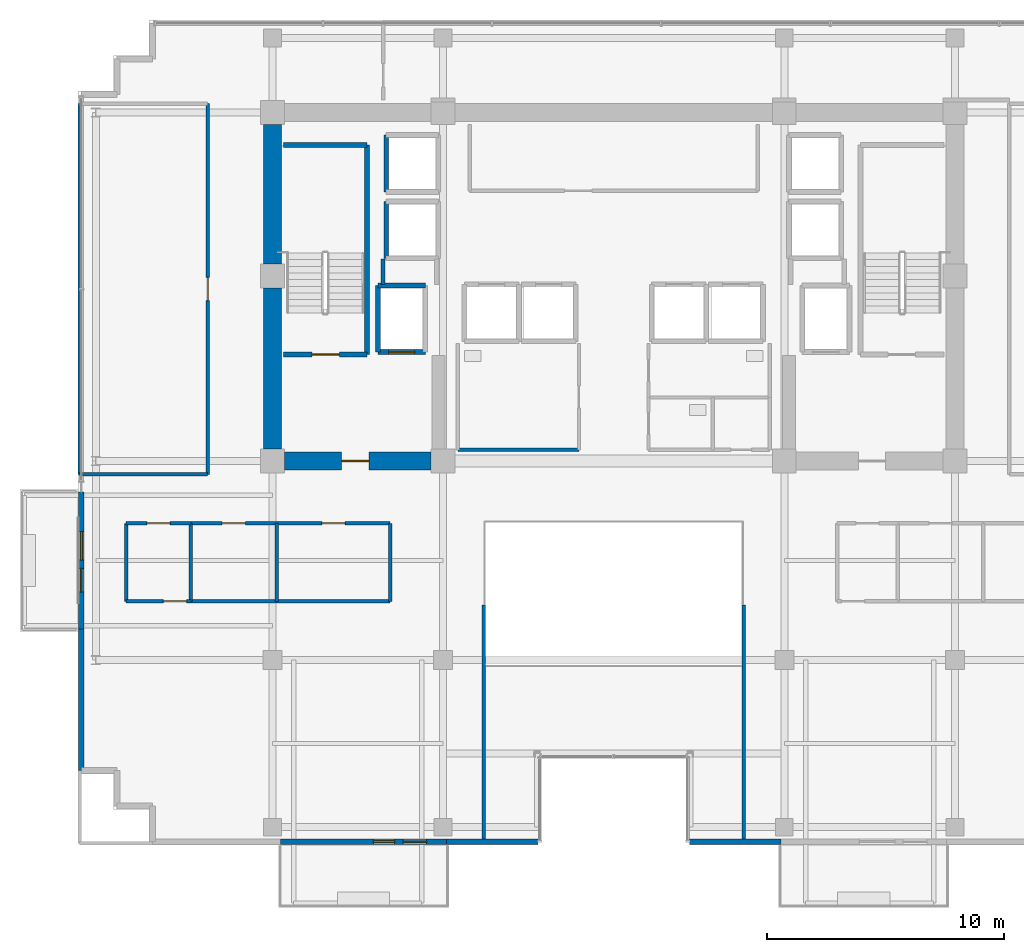
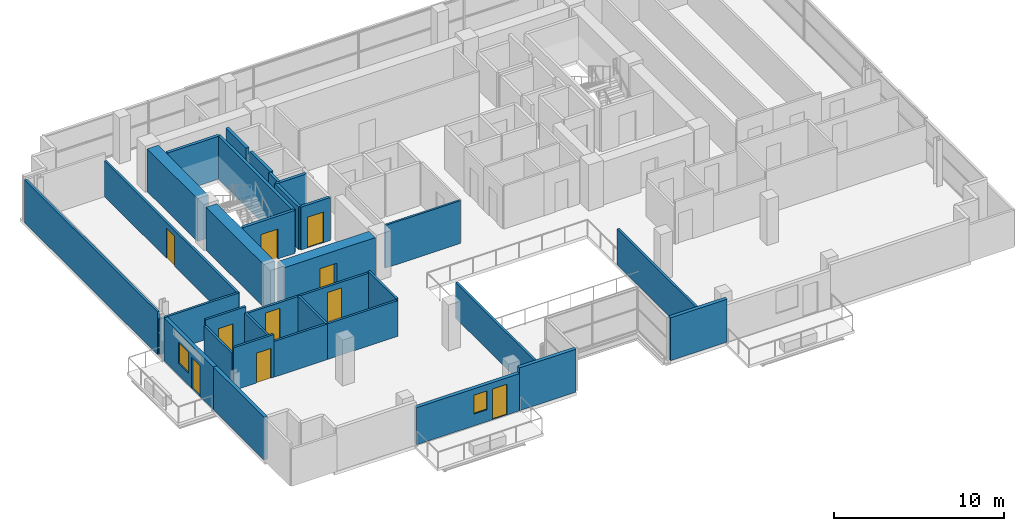
# One storey, part 15 of 21: 33 walls, 10 doors, 2 windows, 12 openings.
"""IFC4 building model written with IfcOpenShell, lengths in metres."""

from ifc_helpers import new_model, si_unit, direction, frame, frame_2d, origin, place, context, subcontext, project, spatial, rectangle, extrude, source, transform, mapped, material, layer, layer_set, type_object, element, fill, save


model = new_model("IFC4")

# Units and contexts
model_context = context("Model", 3, precision=1e-05, world=origin(), true_north=direction((0.0, 1.0)))
body_context = subcontext(model_context, "Body", "Model", "MODEL_VIEW")
ifc_project = project(units=[si_unit("LENGTHUNIT", "METRE"), si_unit("AREAUNIT", "SQUARE_METRE"), si_unit("VOLUMEUNIT", "CUBIC_METRE"), si_unit("PLANEANGLEUNIT", "RADIAN"), si_unit("MASSUNIT", "GRAM", prefix="KILO")], contexts=[model_context])

# Site, building, storey
site_placement = place(None, origin())
site = spatial("IfcSite", under=ifc_project, at=site_placement, CompositionType="ELEMENT")
building_placement = place(site_placement, origin())
building = spatial("IfcBuilding", under=site, at=building_placement, Name="Zarnakvel Exchange Tower", CompositionType="ELEMENT")
storey_placement = place(building_placement, frame((0.0, 0.0, 185.800048828125)))
storey = spatial("IfcBuildingStorey", under=building, at=storey_placement, Name="L52", CompositionType="ELEMENT", Elevation=185.800048828125)

# Walls
ifc_material_1 = material(Name="Concrete C60/75", Category="concrete")
ifc_layer_1 = layer(ifc_material_1, 0.75)
ifc_layer_set_1 = layer_set([ifc_layer_1], Name="Concrete C60/75")
wall_type_1 = type_object("IfcWallType", Name="CW-C3", PredefinedType="SHEAR", material=ifc_layer_set_1)
wall_1_placement = place(storey_placement, frame((-14.39990234375, -0.699951171875, 0.0), z_axis=(0.0, 0.0, 1.0), x_axis=(0.0, 1.0, 0.0)))
element("IfcWall", 1, at=wall_1_placement, inside=storey, type_object=wall_type_1, Name="L52 Rear Core Shear Wall W1 (CW-C3)", PredefinedType="SHEAR", context=body_context, shape_type="SweptSolid", body=[
    extrude(rectangle(XDim=6.800048828125, YDim=0.75, at=frame_2d((3.39990234375, 0.0))), origin(), (0.0, 0.0, 1.0), 3.074951171875),
])
wall_2_placement = place(storey_placement, frame((-14.39990234375, 7.10009765625, 0.0), z_axis=(0.0, 0.0, 1.0), x_axis=(0.0, 1.0, 0.0)))
element("IfcWall", 2, at=wall_2_placement, inside=storey, type_object=wall_type_1, Name="L52 Rear Core Shear Wall W2 (CW-C3)", PredefinedType="SHEAR", context=body_context, shape_type="SweptSolid", body=[
    extrude(rectangle(XDim=5.89990234375, YDim=0.75, at=frame_2d((2.949951171875, 0.0))), origin(), (0.0, 0.0, 1.0), 3.074951171875),
])

# Wall, opening, door
wall_3_placement = place(storey_placement, frame((-7.699951171875, -1.199951171875, 0.0), z_axis=(0.0, 0.0, 1.0), x_axis=(-1.0, 0.0, 0.0)))
wall_3 = element("IfcWall", 3, at=wall_3_placement, inside=storey, type_object=wall_type_1, Name="L52 Rear Core Shear Wall SW (CW-C3)", PredefinedType="SHEAR", context=body_context, shape_type="SweptSolid", body=[
    extrude(rectangle(XDim=6.199951171875, YDim=0.75, at=frame_2d((3.10009765625, 0.0))), origin(), (0.0, 0.0, 1.0), 3.074951171875),
])
opening_1_placement = place(wall_3_placement, frame((2.625, 0.0, 0.0)))
opening_1 = element("IfcOpeningElement", 4, at=opening_1_placement, cuts=wall_3, Name="Opening D-L52-03", PredefinedType="OPENING", context=body_context, shape_type="SweptSolid", body=[
    extrude(rectangle(XDim=1.14990234375, YDim=2.14990234375, at=frame_2d((0.574951171875, 1.074951171875))), frame((0.0, 0.385009765625, 0.0), z_axis=(0.0, -1.0, 0.0), x_axis=(1.0, 0.0, 0.0)), (0.0, 0.0, 1.0), 0.77001953125),
])
ifc_material_2 = material(Name="Painted Galvanised Steel S355", Category="steel")
door_type_1 = type_object("IfcDoorType", Name="DT-04", OperationType="NOTDEFINED", PredefinedType="DOOR", material=ifc_material_2)
shared_shape_1 = source(origin(), body_context, "Body", "SweptSolid", [
    extrude(rectangle(XDim=1.14990234375, YDim=2.14990234375, at=frame_2d((0.574951171875, 1.074951171875))), frame((0.0, 0.02490234375, 0.0), z_axis=(0.0, -1.0, 0.0), x_axis=(1.0, 0.0, 0.0)), (0.0, 0.0, 1.0), 0.050048828125),
])
door_1_placement = place(opening_1_placement, origin())
door_1 = element("IfcDoor", 5, at=door_1_placement, inside=storey, type_object=door_type_1, Name="L52 Firefighting Lobby West Door D-L52-03", OperationType="SINGLE_SWING_RIGHT", OverallHeight=2.14990234375, OverallWidth=1.14990234375, PredefinedType="DOOR", context=body_context, shape_type="MappedRepresentation", body=[
    mapped(shared_shape_1, transform((0.0, 0.0, 0.0), x_axis=(1.0, 0.0, 0.0), y_axis=(0.0, 1.0, 0.0), z_axis=(0.0, 0.0, 1.0), scale=1.0)),
])
fill(opening_1, door_1)

# Wall, openings, door, window
ifc_material_3 = material(Name="Precast concrete C40/50", Category="concrete")
ifc_layer_2 = layer(ifc_material_3, 0.239990234375)
ifc_layer_set_2 = layer_set([ifc_layer_2], Name="Precast concrete C40/50")
wall_type_2 = type_object("IfcWallType", Name="EW-02", PredefinedType="SOLIDWALL", material=ifc_layer_set_2)
wall_4_placement = place(storey_placement, frame((-7.050048828125, -17.260009765625, 0.0), z_axis=(0.0, 0.0, 1.0), x_axis=(-1.0, 0.0, 0.0)))
wall_4 = element("IfcWall", 6, at=wall_4_placement, inside=storey, type_object=wall_type_2, Name="L52 Exterior Precast Spandrel Wall EW-BAL-L52-SW (EW-02)", PredefinedType="SOLIDWALL", context=body_context, shape_type="SweptSolid", body=[
    extrude(rectangle(XDim=7.0, YDim=0.239990234375, at=frame_2d((3.5, 0.0))), origin(), (0.0, 0.0, 1.0), 2.6650390625),
])
opening_2_placement = place(wall_4_placement, frame((0.840087890625, 0.0, 0.0)))
opening_2 = element("IfcOpeningElement", 7, at=opening_2_placement, cuts=wall_4, Name="Opening BD-L52-01", PredefinedType="OPENING", context=body_context, shape_type="SweptSolid", body=[
    extrude(rectangle(XDim=1.0, YDim=2.199951171875, at=frame_2d((0.5, 1.10009765625))), frame((0.0, 0.1298828125, 0.0), z_axis=(0.0, -1.0, 0.0), x_axis=(1.0, 0.0, 0.0)), (0.0, 0.0, 1.0), 0.260009765625),
])
opening_3_placement = place(wall_4_placement, frame((2.18994140625, 0.0, 0.85009765625)))
opening_3 = element("IfcOpeningElement", 8, at=opening_3_placement, cuts=wall_4, Name="Opening WN-06", PredefinedType="OPENING", context=body_context, shape_type="SweptSolid", body=[
    extrude(rectangle(XDim=0.89990234375, YDim=1.35009765625, at=frame_2d((0.449951171875, 0.675048828125))), frame((0.0, 0.1298828125, 0.0), z_axis=(0.0, -1.0, 0.0), x_axis=(1.0, 0.0, 0.0)), (0.0, 0.0, 1.0), 0.260009765625),
])
ifc_material_4 = material(Name="Architectural Bronze Anodised Aluminium", Category="aluminium")
door_type_2 = type_object("IfcDoorType", Name="DT-09", OperationType="NOTDEFINED", PredefinedType="DOOR", material=ifc_material_4)
shared_shape_2 = source(origin(), body_context, "Body", "SweptSolid", [
    extrude(rectangle(XDim=1.0, YDim=2.199951171875, at=frame_2d((0.5, 1.10009765625))), frame((0.0, 0.02490234375, 0.0), z_axis=(0.0, -1.0, 0.0), x_axis=(1.0, 0.0, 0.0)), (0.0, 0.0, 1.0), 0.050048828125),
])
door_2_placement = place(opening_2_placement, origin())
door_2 = element("IfcDoor", 9, at=door_2_placement, inside=storey, type_object=door_type_2, Name="L52 Planted Loggia Balcony Door BD-L52-01", OperationType="SINGLE_SWING_RIGHT", OverallHeight=2.199951171875, OverallWidth=1.0, PredefinedType="DOOR", context=body_context, shape_type="MappedRepresentation", body=[
    mapped(shared_shape_2, transform((0.0, 0.0, 0.0), x_axis=(1.0, 0.0, 0.0), y_axis=(0.0, 1.0, 0.0), z_axis=(0.0, 0.0, 1.0), scale=1.0)),
])
fill(opening_2, door_2)
ifc_material_5 = material(Name="Double Low-E Laminated Vision Glass", Category="glass")
window_type_1 = type_object("IfcWindowType", Name="WN-06", PartitioningType="SINGLE_PANEL", PredefinedType="WINDOW", material=ifc_material_5)
shared_shape_3 = source(origin(), body_context, "Body", "SweptSolid", [
    extrude(rectangle(XDim=0.89990234375, YDim=1.35009765625, at=frame_2d((0.449951171875, 0.675048828125))), frame((0.0, 0.030029296875, 0.0), z_axis=(0.0, -1.0, 0.0), x_axis=(1.0, 0.0, 0.0)), (0.0, 0.0, 1.0), 0.06005859375),
])
window_1_placement = place(opening_3_placement, origin())
window_1 = element("IfcWindow", 10, at=window_1_placement, inside=storey, type_object=window_type_1, Name="L52 Loggia Daylight Window (WN-06)", OverallHeight=1.35009765625, OverallWidth=0.89990234375, PartitioningType="SINGLE_PANEL", PredefinedType="WINDOW", context=body_context, shape_type="MappedRepresentation", body=[
    mapped(shared_shape_3, transform((0.0, 0.0, 0.0), x_axis=(1.0, 0.0, 0.0), y_axis=(0.0, 1.0, 0.0), z_axis=(0.0, 0.0, 1.0), scale=1.0)),
])
fill(opening_3, window_1)

wall_5_placement = place(storey_placement, frame((-22.4599609375, -8.300048828125, 0.0), z_axis=(0.0, 0.0, 1.0), x_axis=(0.0, 1.0, 0.0)))
wall_5 = element("IfcWall", 11, at=wall_5_placement, inside=storey, type_object=wall_type_2, Name="L52 Exterior Precast Spandrel Wall EW-BAL-L52-W (EW-02)", PredefinedType="SOLIDWALL", context=body_context, shape_type="SweptSolid", body=[
    extrude(rectangle(XDim=5.800048828125, YDim=0.239990234375, at=frame_2d((2.89990234375, 0.0))), origin(), (0.0, 0.0, 1.0), 3.074951171875),
])
opening_4_placement = place(wall_5_placement, frame((1.56591796875, 0.0, 0.0)))
opening_4 = element("IfcOpeningElement", 12, at=opening_4_placement, cuts=wall_5, Name="Opening BD-L52-03", PredefinedType="OPENING", context=body_context, shape_type="SweptSolid", body=[
    extrude(rectangle(XDim=1.0, YDim=2.199951171875, at=frame_2d((0.5, 1.10009765625))), frame((0.0, 0.1298828125, 0.0), z_axis=(0.0, -1.0, 0.0), x_axis=(1.0, 0.0, 0.0)), (0.0, 0.0, 1.0), 0.260009765625),
])
opening_5_placement = place(wall_5_placement, frame((2.916015625, 0.0, 0.85009765625)))
opening_5 = element("IfcOpeningElement", 13, at=opening_5_placement, cuts=wall_5, Name="Opening WN-04", PredefinedType="OPENING", context=body_context, shape_type="SweptSolid", body=[
    extrude(rectangle(XDim=1.199951171875, YDim=1.5, at=frame_2d((0.60009765625, 0.75))), frame((0.0, 0.1298828125, 0.0), z_axis=(0.0, -1.0, 0.0), x_axis=(1.0, 0.0, 0.0)), (0.0, 0.0, 1.0), 0.260009765625),
])
door_3_placement = place(opening_4_placement, origin())
door_3 = element("IfcDoor", 14, at=door_3_placement, inside=storey, type_object=door_type_2, Name="L52 Planted Loggia Balcony Door BD-L52-03", OperationType="SINGLE_SWING_RIGHT", OverallHeight=2.199951171875, OverallWidth=1.0, PredefinedType="DOOR", context=body_context, shape_type="MappedRepresentation", body=[
    mapped(shared_shape_2, transform((0.0, 0.0, 0.0), x_axis=(1.0, 0.0, 0.0), y_axis=(0.0, 1.0, 0.0), z_axis=(0.0, 0.0, 1.0), scale=1.0)),
])
fill(opening_4, door_3)
window_type_2 = type_object("IfcWindowType", Name="WN-04", PartitioningType="SINGLE_PANEL", PredefinedType="WINDOW", material=ifc_material_5)
shared_shape_4 = source(origin(), body_context, "Body", "SweptSolid", [
    extrude(rectangle(XDim=1.199951171875, YDim=1.5, at=frame_2d((0.60009765625, 0.75))), frame((0.0, 0.030029296875, 0.0), z_axis=(0.0, -1.0, 0.0), x_axis=(1.0, 0.0, 0.0)), (0.0, 0.0, 1.0), 0.06005859375),
])
window_2_placement = place(opening_5_placement, origin())
window_2 = element("IfcWindow", 15, at=window_2_placement, inside=storey, type_object=window_type_2, Name="L52 Loggia Daylight Window (WN-04)", OverallHeight=1.5, OverallWidth=1.199951171875, PartitioningType="SINGLE_PANEL", PredefinedType="WINDOW", context=body_context, shape_type="MappedRepresentation", body=[
    mapped(shared_shape_4, transform((0.0, 0.0, 0.0), x_axis=(1.0, 0.0, 0.0), y_axis=(0.0, 1.0, 0.0), z_axis=(0.0, 0.0, 1.0), scale=1.0)),
])
fill(opening_5, window_2)

# Walls
wall_6_placement = place(storey_placement, frame((-22.4599609375, -8.300048828125, 0.0), z_axis=(0.0, 0.0, 1.0), x_axis=(0.0, -1.0, 0.0)))
element("IfcWall", 16, at=wall_6_placement, inside=storey, type_object=wall_type_2, Name="L52 Exterior Precast Spandrel Wall EWC-L52-01 (EW-02)", PredefinedType="SOLIDWALL", context=body_context, shape_type="SweptSolid", body=[
    extrude(rectangle(XDim=5.9599609375, YDim=0.239990234375, at=frame_2d((2.97998046875, 0.0))), origin(), (0.0, 0.0, 1.0), 3.074951171875),
])
for number, where, z_axis, x_axis, name in (
    (17, (3.199951171875, -17.260009765625, 0.0), (0.0, 0.0, 1.0), (1.0, 0.0, 0.0), "L52 Exterior Precast Spandrel Wall EWC-L52-16 (EW-02)"),
    (18, (-7.050048828125, -17.260009765625, 0.0), (0.0, 0.0, 1.0), (1.0, 0.0, 0.0), "L52 Exterior Precast Spandrel Wall EWC-L52-21 (EW-02)"),
):
    element("IfcWall", number, at=place(storey_placement, frame(where, z_axis=z_axis, x_axis=x_axis)), inside=storey, type_object=wall_type_2, Name=name, PredefinedType="SOLIDWALL", context=body_context, shape_type="SweptSolid", body=[
        extrude(rectangle(XDim=3.85009765625, YDim=0.239990234375, at=frame_2d((1.925048828125, 0.0))), origin(), (0.0, 0.0, 1.0), 3.074951171875),
    ])

# Wall, opening, door
ifc_material_6 = material(Name="Fire-Rated Gypsum Stud Partition", Category="gypsum")
ifc_layer_3 = layer(ifc_material_6, 0.14990234375)
ifc_layer_set_3 = layer_set([ifc_layer_3], Name="Fire-Rated Gypsum Stud Partition")
wall_type_3 = type_object("IfcWallType", Name="PT-01", PredefinedType="PARTITIONING", material=ifc_layer_set_3)
wall_7_placement = place(storey_placement, frame((-17.842529296875, -7.1201171875, 0.0), z_axis=(0.0, 0.0, 1.0), x_axis=(-1.0, 0.0, 0.0)))
wall_7 = element("IfcWall", 19, at=wall_7_placement, inside=storey, type_object=wall_type_3, Name="L52 Partition Wall PWALL-L52-025 (PT-01)", PredefinedType="PARTITIONING", context=body_context, shape_type="SweptSolid", body=[
    extrude(rectangle(XDim=2.72900390625, YDim=0.14990234375, at=frame_2d((1.364501953125, 0.0))), origin(), (0.0, 0.0, 1.0), 3.074951171875),
])
opening_6_placement = place(wall_7_placement, frame((0.179931640625, 0.0, 0.0)))
opening_6 = element("IfcOpeningElement", 20, at=opening_6_placement, cuts=wall_7, Name="Opening D-L52-13", PredefinedType="OPENING", context=body_context, shape_type="SweptSolid", body=[
    extrude(rectangle(XDim=0.97998046875, YDim=2.14990234375, at=frame_2d((0.489990234375, 1.074951171875))), frame((0.0, 0.0849609375, 0.0), z_axis=(0.0, -1.0, 0.0), x_axis=(1.0, 0.0, 0.0)), (0.0, 0.0, 1.0), 0.169921875),
])
ifc_material_7 = material(Name="Timber Acoustic Veneer", Category="wood")
door_type_3 = type_object("IfcDoorType", Name="DT-05", OperationType="NOTDEFINED", PredefinedType="DOOR", material=ifc_material_7)
shared_shape_5 = source(origin(), body_context, "Body", "SweptSolid", [
    extrude(rectangle(XDim=0.97998046875, YDim=2.14990234375, at=frame_2d((0.489990234375, 1.074951171875))), frame((0.0, 0.02490234375, 0.0), z_axis=(0.0, -1.0, 0.0), x_axis=(1.0, 0.0, 0.0)), (0.0, 0.0, 1.0), 0.050048828125),
])
door_4_placement = place(opening_6_placement, origin())
door_4 = element("IfcDoor", 21, at=door_4_placement, inside=storey, type_object=door_type_3, Name="L52 Equities Trading Floor Door D-L52-13", OperationType="SINGLE_SWING_RIGHT", OverallHeight=2.14990234375, OverallWidth=0.97998046875, PredefinedType="DOOR", context=body_context, shape_type="MappedRepresentation", body=[
    mapped(shared_shape_5, transform((0.0, 0.0, 0.0), x_axis=(1.0, 0.0, 0.0), y_axis=(0.0, 1.0, 0.0), z_axis=(0.0, 0.0, 1.0), scale=1.0)),
])
fill(opening_6, door_4)

wall_8_placement = place(storey_placement, frame((-20.571533203125, -3.830078125, 0.0), z_axis=(0.0, 0.0, 1.0), x_axis=(1.0, 0.0, 0.0)))
wall_8 = element("IfcWall", 22, at=wall_8_placement, inside=storey, type_object=wall_type_3, Name="L52 Partition Wall PWALL-L52-026 (PT-01)", PredefinedType="PARTITIONING", context=body_context, shape_type="SweptSolid", body=[
    extrude(rectangle(XDim=2.72900390625, YDim=0.14990234375, at=frame_2d((1.364501953125, 0.0))), origin(), (0.0, 0.0, 1.0), 3.074951171875),
])
opening_7_placement = place(wall_8_placement, frame((0.87451171875, 0.0, 0.0)))
opening_7 = element("IfcOpeningElement", 23, at=opening_7_placement, cuts=wall_8, Name="Opening D-L52-10", PredefinedType="OPENING", context=body_context, shape_type="SweptSolid", body=[
    extrude(rectangle(XDim=0.97998046875, YDim=2.14990234375, at=frame_2d((0.489990234375, 1.074951171875))), frame((0.0, 0.0849609375, 0.0), z_axis=(0.0, -1.0, 0.0), x_axis=(1.0, 0.0, 0.0)), (0.0, 0.0, 1.0), 0.169921875),
])
door_5_placement = place(opening_7_placement, origin())
door_5 = element("IfcDoor", 24, at=door_5_placement, inside=storey, type_object=door_type_3, Name="L52 Asset Management Office Door D-L52-10", OperationType="SINGLE_SWING_LEFT", OverallHeight=2.14990234375, OverallWidth=0.97998046875, PredefinedType="DOOR", context=body_context, shape_type="MappedRepresentation", body=[
    mapped(shared_shape_5, transform((0.0, 0.0, 0.0), x_axis=(1.0, 0.0, 0.0), y_axis=(0.0, 1.0, 0.0), z_axis=(0.0, 0.0, 1.0), scale=1.0)),
])
fill(opening_7, door_5)

# Walls
for number, where, z_axis, x_axis, name in (
    (25, (-20.571533203125, -7.1201171875, 0.0), (0.0, 0.0, 1.0), (0.0, 1.0, 0.0), "L52 Partition Wall PWALL-L52-027 (PT-01)"),
    (26, (-17.842529296875, -3.830078125, 0.0), (0.0, 0.0, 1.0), (0.0, -1.0, 0.0), "L52 Partition Wall PWALL-L52-028 (PT-01)"),
):
    element("IfcWall", number, at=place(storey_placement, frame(where, z_axis=z_axis, x_axis=x_axis)), inside=storey, type_object=wall_type_3, Name=name, PredefinedType="PARTITIONING", context=body_context, shape_type="SweptSolid", body=[
        extrude(rectangle(XDim=3.2900390625, YDim=0.14990234375, at=frame_2d((1.64501953125, 0.0))), origin(), (0.0, 0.0, 1.0), 2.6650390625),
    ])
wall_9_placement = place(storey_placement, frame((-14.21435546875, -7.1201171875, 0.0), z_axis=(0.0, 0.0, 1.0), x_axis=(-1.0, 0.0, 0.0)))
element("IfcWall", 27, at=wall_9_placement, inside=storey, type_object=wall_type_3, Name="L52 Partition Wall PWALL-L52-029 (PT-01)", PredefinedType="PARTITIONING", context=body_context, shape_type="SweptSolid", body=[
    extrude(rectangle(XDim=3.628173828125, YDim=0.14990234375, at=frame_2d((1.81396484375, 0.0))), origin(), (0.0, 0.0, 1.0), 2.56494140625),
])

# Wall, opening, door
wall_10_placement = place(storey_placement, frame((-17.842529296875, -3.830078125, 0.0), z_axis=(0.0, 0.0, 1.0), x_axis=(1.0, 0.0, 0.0)))
wall_10 = element("IfcWall", 28, at=wall_10_placement, inside=storey, type_object=wall_type_3, Name="L52 Partition Wall PWALL-L52-030 (PT-01)", PredefinedType="PARTITIONING", context=body_context, shape_type="SweptSolid", body=[
    extrude(rectangle(XDim=3.628173828125, YDim=0.14990234375, at=frame_2d((1.81396484375, 0.0))), origin(), (0.0, 0.0, 1.0), 2.56494140625),
])
opening_8_placement = place(wall_10_placement, frame((1.324462890625, 0.0, 0.0)))
opening_8 = element("IfcOpeningElement", 29, at=opening_8_placement, cuts=wall_10, Name="Opening D-L52-11", PredefinedType="OPENING", context=body_context, shape_type="SweptSolid", body=[
    extrude(rectangle(XDim=0.97998046875, YDim=2.14990234375, at=frame_2d((0.489990234375, 1.074951171875))), frame((0.0, 0.0849609375, 0.0), z_axis=(0.0, -1.0, 0.0), x_axis=(1.0, 0.0, 0.0)), (0.0, 0.0, 1.0), 0.169921875),
])
door_6_placement = place(opening_8_placement, origin())
door_6 = element("IfcDoor", 30, at=door_6_placement, inside=storey, type_object=door_type_3, Name="L52 Meeting Room Door D-L52-11", OperationType="SINGLE_SWING_RIGHT", OverallHeight=2.14990234375, OverallWidth=0.97998046875, PredefinedType="DOOR", context=body_context, shape_type="MappedRepresentation", body=[
    mapped(shared_shape_5, transform((0.0, 0.0, 0.0), x_axis=(1.0, 0.0, 0.0), y_axis=(0.0, 1.0, 0.0), z_axis=(0.0, 0.0, 1.0), scale=1.0)),
])
fill(opening_8, door_6)

# Walls
wall_11_placement = place(storey_placement, frame((-14.21435546875, -3.830078125, 0.0), z_axis=(0.0, 0.0, 1.0), x_axis=(0.0, -1.0, 0.0)))
element("IfcWall", 31, at=wall_11_placement, inside=storey, type_object=wall_type_3, Name="L52 Partition Wall PWALL-L52-031 (PT-01)", PredefinedType="PARTITIONING", context=body_context, shape_type="SweptSolid", body=[
    extrude(rectangle(XDim=3.2900390625, YDim=0.14990234375, at=frame_2d((1.64501953125, 0.0))), origin(), (0.0, 0.0, 1.0), 2.56494140625),
])
wall_12_placement = place(storey_placement, frame((-9.429931640625, -7.1201171875, 0.0), z_axis=(0.0, 0.0, 1.0), x_axis=(-1.0, 0.0, 0.0)))
element("IfcWall", 32, at=wall_12_placement, inside=storey, type_object=wall_type_3, Name="L52 Partition Wall PWALL-L52-032 (PT-01)", PredefinedType="PARTITIONING", context=body_context, shape_type="SweptSolid", body=[
    extrude(rectangle(XDim=4.784423828125, YDim=0.14990234375, at=frame_2d((2.39208984375, 0.0))), origin(), (0.0, 0.0, 1.0), 2.56494140625),
])

# Wall, opening, door
wall_13_placement = place(storey_placement, frame((-14.21435546875, -3.830078125, 0.0), z_axis=(0.0, 0.0, 1.0), x_axis=(1.0, 0.0, 0.0)))
wall_13 = element("IfcWall", 33, at=wall_13_placement, inside=storey, type_object=wall_type_3, Name="L52 Partition Wall PWALL-L52-033 (PT-01)", PredefinedType="PARTITIONING", context=body_context, shape_type="SweptSolid", body=[
    extrude(rectangle(XDim=4.784423828125, YDim=0.14990234375, at=frame_2d((2.39208984375, 0.0))), origin(), (0.0, 0.0, 1.0), 2.56494140625),
])
opening_9_placement = place(wall_13_placement, frame((1.90234375, 0.0, 0.0)))
opening_9 = element("IfcOpeningElement", 34, at=opening_9_placement, cuts=wall_13, Name="Opening D-L52-12", PredefinedType="OPENING", context=body_context, shape_type="SweptSolid", body=[
    extrude(rectangle(XDim=0.97998046875, YDim=2.14990234375, at=frame_2d((0.489990234375, 1.074951171875))), frame((0.0, 0.0849609375, 0.0), z_axis=(0.0, -1.0, 0.0), x_axis=(1.0, 0.0, 0.0)), (0.0, 0.0, 1.0), 0.169921875),
])
door_7_placement = place(opening_9_placement, origin())
door_7 = element("IfcDoor", 35, at=door_7_placement, inside=storey, type_object=door_type_3, Name="L52 Executive Office Door D-L52-12", OperationType="SINGLE_SWING_LEFT", OverallHeight=2.14990234375, OverallWidth=0.97998046875, PredefinedType="DOOR", context=body_context, shape_type="MappedRepresentation", body=[
    mapped(shared_shape_5, transform((0.0, 0.0, 0.0), x_axis=(1.0, 0.0, 0.0), y_axis=(0.0, 1.0, 0.0), z_axis=(0.0, 0.0, 1.0), scale=1.0)),
])
fill(opening_9, door_7)

# Walls
wall_14_placement = place(storey_placement, frame((-9.429931640625, -3.830078125, 0.0), z_axis=(0.0, 0.0, 1.0), x_axis=(0.0, -1.0, 0.0)))
element("IfcWall", 36, at=wall_14_placement, inside=storey, type_object=wall_type_3, Name="L52 Partition Wall PWALL-L52-034 (PT-01)", PredefinedType="PARTITIONING", context=body_context, shape_type="SweptSolid", body=[
    extrude(rectangle(XDim=3.2900390625, YDim=0.14990234375, at=frame_2d((1.64501953125, 0.0))), origin(), (0.0, 0.0, 1.0), 2.6650390625),
])
for number, where, z_axis, x_axis, name in (
    (37, (-5.47998046875, -7.280029296875, 0.0), (0.0, 0.0, 1.0), (0.0, -1.0, 0.0), "L52 Partition Wall PWALL-L52-037 (PT-01)"),
    (38, (5.47998046875, -17.330078125, 0.0), (0.0, 0.0, 1.0), (0.0, 1.0, 0.0), "L52 Partition Wall PWALL-L52-052 (PT-01)"),
):
    element("IfcWall", number, at=place(storey_placement, frame(where, z_axis=z_axis, x_axis=x_axis)), inside=storey, type_object=wall_type_3, Name=name, PredefinedType="PARTITIONING", context=body_context, shape_type="SweptSolid", body=[
        extrude(rectangle(XDim=10.050048828125, YDim=0.14990234375, at=frame_2d((5.02490234375, 0.0))), origin(), (0.0, 0.0, 1.0), 2.56494140625),
    ])
wall_15_placement = place(storey_placement, frame((-17.1298828125, -1.77001953125, 0.0), z_axis=(0.0, 0.0, 1.0), x_axis=(-1.0, 0.0, 0.0)))
element("IfcWall", 39, at=wall_15_placement, inside=storey, type_object=wall_type_3, Name="L52 Partition Wall PWALL-L52-054 (PT-01)", PredefinedType="PARTITIONING", context=body_context, shape_type="SweptSolid", body=[
    extrude(rectangle(XDim=5.400146484375, YDim=0.14990234375, at=frame_2d((2.7001953125, 0.0))), origin(), (0.0, 0.0, 1.0), 2.56494140625),
])
wall_16_placement = place(storey_placement, frame((-22.530029296875, -1.77001953125, 0.0), z_axis=(0.0, 0.0, 1.0), x_axis=(0.0, 1.0, 0.0)))
element("IfcWall", 40, at=wall_16_placement, inside=storey, type_object=wall_type_3, Name="L52 Partition Wall PWALL-L52-056 (PT-01)", PredefinedType="PARTITIONING", context=body_context, shape_type="SweptSolid", body=[
    extrude(rectangle(XDim=15.64990234375, YDim=0.14990234375, at=frame_2d((7.824951171875, 0.0))), origin(), (0.0, 0.0, 1.0), 3.074951171875),
])

# Wall, opening, door
wall_17_placement = place(storey_placement, frame((-17.1298828125, 13.8798828125, 0.0), z_axis=(0.0, 0.0, 1.0), x_axis=(0.0, -1.0, 0.0)))
wall_17 = element("IfcWall", 41, at=wall_17_placement, inside=storey, type_object=wall_type_3, Name="L52 Partition Wall PWALL-L52-057 (PT-01)", PredefinedType="PARTITIONING", context=body_context, shape_type="SweptSolid", body=[
    extrude(rectangle(XDim=15.64990234375, YDim=0.14990234375, at=frame_2d((7.824951171875, 0.0))), origin(), (0.0, 0.0, 1.0), 2.56494140625),
])
opening_10_placement = place(wall_17_placement, frame((7.3349609375, 0.0, 0.0)))
opening_10 = element("IfcOpeningElement", 42, at=opening_10_placement, cuts=wall_17, Name="Opening D-L52-19", PredefinedType="OPENING", context=body_context, shape_type="SweptSolid", body=[
    extrude(rectangle(XDim=0.97998046875, YDim=2.14990234375, at=frame_2d((0.489990234375, 1.074951171875))), frame((0.0, 0.0849609375, 0.0), z_axis=(0.0, -1.0, 0.0), x_axis=(1.0, 0.0, 0.0)), (0.0, 0.0, 1.0), 0.169921875),
])
door_8_placement = place(opening_10_placement, origin())
door_8 = element("IfcDoor", 43, at=door_8_placement, inside=storey, type_object=door_type_3, Name="L52 Executive Office Door D-L52-19", OperationType="SINGLE_SWING_RIGHT", OverallHeight=2.14990234375, OverallWidth=0.97998046875, PredefinedType="DOOR", context=body_context, shape_type="MappedRepresentation", body=[
    mapped(shared_shape_5, transform((0.0, 0.0, 0.0), x_axis=(1.0, 0.0, 0.0), y_axis=(0.0, 1.0, 0.0), z_axis=(0.0, 0.0, 1.0), scale=1.0)),
])
fill(opening_10, door_8)

# Walls
ifc_layer_4 = layer(ifc_material_6, 0.179931640625)
ifc_layer_set_4 = layer_set([ifc_layer_4], Name="Fire-Rated Gypsum Stud Partition")
wall_type_4 = type_object("IfcWallType", Name="PT-02", PredefinedType="PARTITIONING", material=ifc_layer_set_4)
wall_18_placement = place(storey_placement, frame((-9.72998046875, 6.239990234375, 0.0), z_axis=(0.0, 0.0, 1.0), x_axis=(0.0, 1.0, 0.0)))
element("IfcWall", 44, at=wall_18_placement, inside=storey, type_object=wall_type_4, Name="L52 Partition Wall PWALL-L52-007 (PT-02)", PredefinedType="PARTITIONING", context=body_context, shape_type="SweptSolid", body=[
    extrude(rectangle(XDim=1.090087890625, YDim=0.179931640625, at=frame_2d((0.544921875, 0.0))), origin(), (0.0, 0.0, 1.0), 3.074951171875),
])
ifc_material_8 = material(Name="Moisture-Resistant Tile-Faced Partition", Category="gypsum")
ifc_layer_5 = layer(ifc_material_8, 0.135009765625)
ifc_layer_set_5 = layer_set([ifc_layer_5], Name="Moisture-Resistant Tile-Faced Partition")
wall_type_5 = type_object("IfcWallType", Name="PT-03", PredefinedType="PARTITIONING", material=ifc_layer_set_5)
wall_19_placement = place(storey_placement, frame((-1.469970703125, -0.72998046875, 0.0), z_axis=(0.0, 0.0, 1.0), x_axis=(-1.0, 0.0, 0.0)))
element("IfcWall", 45, at=wall_19_placement, inside=storey, type_object=wall_type_5, Name="L52 Partition Wall PWALL-L52-014 (PT-03)", PredefinedType="PARTITIONING", context=body_context, shape_type="SweptSolid", body=[
    extrude(rectangle(XDim=5.110107421875, YDim=0.135009765625, at=frame_2d((2.55517578125, 0.0))), origin(), (0.0, 0.0, 1.0), 3.074951171875),
])

# Wall, opening, door
ifc_material_9 = material(Name="Concrete C40/50", Category="concrete")
ifc_layer_6 = layer(ifc_material_9, 0.199951171875)
ifc_layer_set_6 = layer_set([ifc_layer_6], Name="Concrete C40/50")
wall_type_6 = type_object("IfcWallType", Name="SW-01", PredefinedType="SOLIDWALL", material=ifc_layer_set_6)
wall_20_placement = place(storey_placement, frame((-7.949951171875, 3.39990234375, 0.0), z_axis=(0.0, 0.0, 1.0), x_axis=(-1.0, 0.0, 0.0)))
wall_20 = element("IfcWall", 46, at=wall_20_placement, inside=storey, type_object=wall_type_6, Name="L52 FL-01 Hoistway Wall South", PredefinedType="SOLIDWALL", context=body_context, shape_type="SweptSolid", body=[
    extrude(rectangle(XDim=2.0, YDim=0.199951171875, at=frame_2d((1.0, 0.0))), origin(), (0.0, 0.0, 1.0), 3.074951171875),
])
opening_11_placement = place(wall_20_placement, frame((0.449951171875, 0.0, 0.0)))
opening_11 = element("IfcOpeningElement", 47, at=opening_11_placement, cuts=wall_20, Name="Opening LD-FL-01-L52", PredefinedType="OPENING", context=body_context, shape_type="SweptSolid", body=[
    extrude(rectangle(XDim=1.10009765625, YDim=2.199951171875, at=frame_2d((0.550048828125, 1.10009765625))), frame((0.0, 0.10986328125, 0.0), z_axis=(0.0, -1.0, 0.0), x_axis=(1.0, 0.0, 0.0)), (0.0, 0.0, 1.0), 0.219970703125),
])
ifc_material_10 = material(Name="Brushed Stainless Steel", Category="steel")
door_type_4 = type_object("IfcDoorType", Name="LDT-01", OperationType="NOTDEFINED", PredefinedType="DOOR", material=ifc_material_10)
shared_shape_6 = source(origin(), body_context, "Body", "SweptSolid", [
    extrude(rectangle(XDim=1.10009765625, YDim=2.199951171875, at=frame_2d((0.550048828125, 1.10009765625))), frame((0.0, 0.02490234375, 0.0), z_axis=(0.0, -1.0, 0.0), x_axis=(1.0, 0.0, 0.0)), (0.0, 0.0, 1.0), 0.050048828125),
])
door_9_placement = place(opening_11_placement, origin())
door_9 = element("IfcDoor", 48, at=door_9_placement, inside=storey, type_object=door_type_4, Name="L52 FL-01 Lift Landing Door LD-FL-01-L52", OperationType="DOUBLE_DOOR_SLIDING", OverallHeight=2.199951171875, OverallWidth=1.10009765625, PredefinedType="DOOR", context=body_context, shape_type="MappedRepresentation", body=[
    mapped(shared_shape_6, transform((0.0, 0.0, 0.0), x_axis=(1.0, 0.0, 0.0), y_axis=(0.0, 1.0, 0.0), z_axis=(0.0, 0.0, 1.0), scale=1.0)),
])
fill(opening_11, door_9)

# Walls
wall_21_placement = place(storey_placement, frame((-9.949951171875, 6.199951171875, 0.0), z_axis=(0.0, 0.0, 1.0), x_axis=(1.0, 0.0, 0.0)))
element("IfcWall", 49, at=wall_21_placement, inside=storey, type_object=wall_type_6, Name="L52 FL-01 Hoistway Wall North", PredefinedType="SOLIDWALL", context=body_context, shape_type="SweptSolid", body=[
    extrude(rectangle(XDim=2.0, YDim=0.199951171875, at=frame_2d((1.0, 0.0))), origin(), (0.0, 0.0, 1.0), 3.074951171875),
])
wall_22_placement = place(storey_placement, frame((-9.949951171875, 3.39990234375, 0.0), z_axis=(0.0, 0.0, 1.0), x_axis=(0.0, 1.0, 0.0)))
element("IfcWall", 50, at=wall_22_placement, inside=storey, type_object=wall_type_6, Name="L52 FL-01 Hoistway Wall West", PredefinedType="SOLIDWALL", context=body_context, shape_type="SweptSolid", body=[
    extrude(rectangle(XDim=2.800048828125, YDim=0.199951171875, at=frame_2d((1.39990234375, 0.0))), origin(), (0.0, 0.0, 1.0), 3.074951171875),
])
wall_23_placement = place(storey_placement, frame((-9.60009765625, 7.35009765625, 0.0), z_axis=(0.0, 0.0, 1.0), x_axis=(0.0, 1.0, 0.0)))
element("IfcWall", 51, at=wall_23_placement, inside=storey, type_object=wall_type_6, Name="L52 PL-09 Hoistway Wall West", PredefinedType="SOLIDWALL", context=body_context, shape_type="SweptSolid", body=[
    extrude(rectangle(XDim=2.39990234375, YDim=0.199951171875, at=frame_2d((1.199951171875, 0.0))), origin(), (0.0, 0.0, 1.0), 3.074951171875),
])
wall_24_placement = place(storey_placement, frame((-9.60009765625, 10.14990234375, 0.0), z_axis=(0.0, 0.0, 1.0), x_axis=(0.0, 1.0, 0.0)))
element("IfcWall", 52, at=wall_24_placement, inside=storey, type_object=wall_type_6, Name="L52 PL-10 Hoistway Wall West", PredefinedType="SOLIDWALL", context=body_context, shape_type="SweptSolid", body=[
    extrude(rectangle(XDim=2.400146484375, YDim=0.199951171875, at=frame_2d((1.2001953125, 0.0))), origin(), (0.0, 0.0, 1.0), 3.074951171875),
])

# Wall, opening, door
ifc_layer_7 = layer(ifc_material_9, 0.199951171875)
ifc_layer_set_7 = layer_set([ifc_layer_7], Name="Concrete C40/50")
wall_type_7 = type_object("IfcWallType", Name="SW-02", PredefinedType="SOLIDWALL", material=ifc_layer_set_7)
wall_25_placement = place(storey_placement, frame((-10.409912109375, 3.2900390625, 0.0), z_axis=(0.0, 0.0, 1.0), x_axis=(-1.0, 0.0, 0.0)))
wall_25 = element("IfcWall", 53, at=wall_25_placement, inside=storey, type_object=wall_type_7, Name="L52 Stairwell Core Wall PWALL-L52-001 (SW-02)", PredefinedType="SOLIDWALL", context=body_context, shape_type="SweptSolid", body=[
    extrude(rectangle(XDim=3.52001953125, YDim=0.199951171875, at=frame_2d((1.760009765625, 0.0))), origin(), (0.0, 0.0, 1.0), 3.074951171875),
])
opening_12_placement = place(wall_25_placement, frame((1.1650390625, 0.0, 0.0)))
opening_12 = element("IfcOpeningElement", 54, at=opening_12_placement, cuts=wall_25, Name="Opening D-L52-01", PredefinedType="OPENING", context=body_context, shape_type="SweptSolid", body=[
    extrude(rectangle(XDim=1.14990234375, YDim=2.14990234375, at=frame_2d((0.574951171875, 1.074951171875))), frame((0.0, 0.10986328125, 0.0), z_axis=(0.0, -1.0, 0.0), x_axis=(1.0, 0.0, 0.0)), (0.0, 0.0, 1.0), 0.219970703125),
])
door_10_placement = place(opening_12_placement, origin())
door_10 = element("IfcDoor", 55, at=door_10_placement, inside=storey, type_object=door_type_1, Name="L52 Stairwell ST-01 Door D-L52-01", OperationType="SINGLE_SWING_RIGHT", OverallHeight=2.14990234375, OverallWidth=1.14990234375, PredefinedType="DOOR", context=body_context, shape_type="MappedRepresentation", body=[
    mapped(shared_shape_1, transform((0.0, 0.0, 0.0), x_axis=(1.0, 0.0, 0.0), y_axis=(0.0, 1.0, 0.0), z_axis=(0.0, 0.0, 1.0), scale=1.0)),
])
fill(opening_12, door_10)

# Walls
wall_26_placement = place(storey_placement, frame((-13.929931640625, 12.1298828125, 0.0), z_axis=(0.0, 0.0, 1.0), x_axis=(1.0, 0.0, 0.0)))
element("IfcWall", 56, at=wall_26_placement, inside=storey, type_object=wall_type_7, Name="L52 Stairwell Core Wall PWALL-L52-002 (SW-02)", PredefinedType="SOLIDWALL", context=body_context, shape_type="SweptSolid", body=[
    extrude(rectangle(XDim=3.52001953125, YDim=0.199951171875, at=frame_2d((1.760009765625, 0.0))), origin(), (0.0, 0.0, 1.0), 3.074951171875),
])
wall_27_placement = place(storey_placement, frame((-10.409912109375, 12.1298828125, 0.0), z_axis=(0.0, 0.0, 1.0), x_axis=(0.0, -1.0, 0.0)))
element("IfcWall", 57, at=wall_27_placement, inside=storey, type_object=wall_type_7, Name="L52 Stairwell Core Wall PWALL-L52-003 (SW-02)", PredefinedType="SOLIDWALL", context=body_context, shape_type="SweptSolid", body=[
    extrude(rectangle(XDim=8.83984375, YDim=0.199951171875, at=frame_2d((4.419921875, 0.0))), origin(), (0.0, 0.0, 1.0), 3.074951171875),
])

save(model, "model.ifc")
